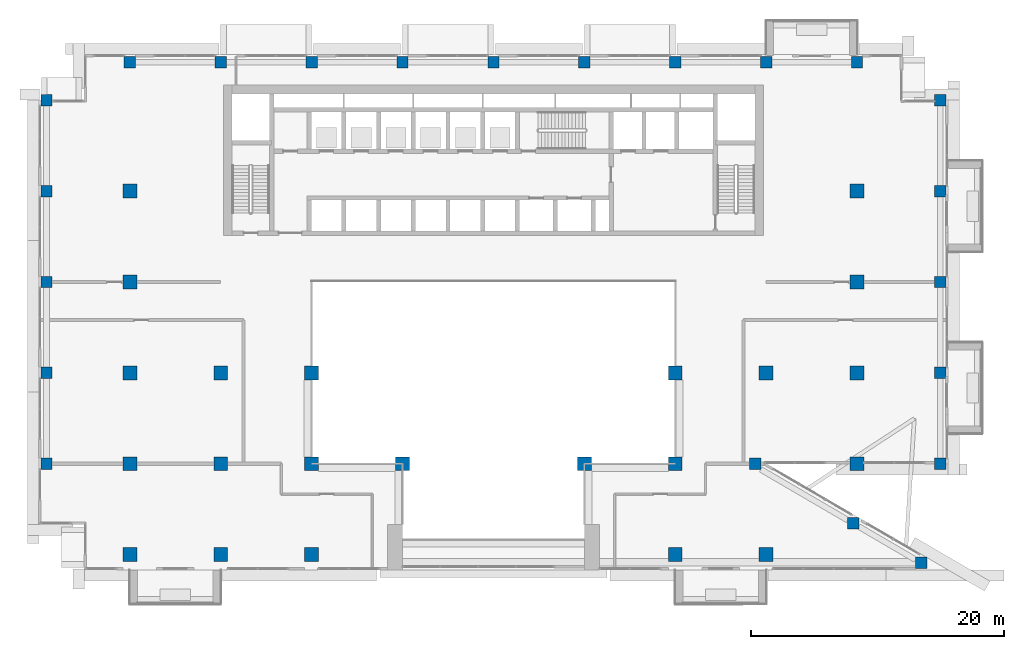
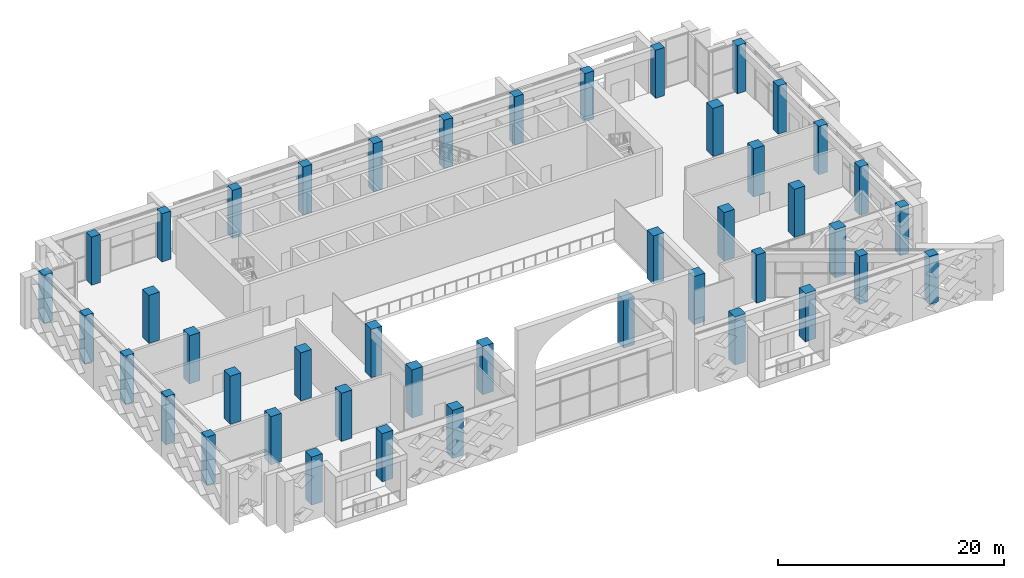
# One storey, part 1 of 25: 44 columns.
"""IFC4 building model written with IfcOpenShell, lengths in metres."""

from ifc_helpers import new_model, si_unit, direction, frame, origin, origin_2d, place, context, subcontext, project, spatial, rectangle, extrude, source, transform, mapped, material, material_profile, profile_set, type_object, element, save


model = new_model("IFC4")

# Units and contexts
model_context = context("Model", 3, precision=1e-05, world=origin(), true_north=direction((0.0, 1.0)))
body_context = subcontext(model_context, "Body", "Model", "MODEL_VIEW")
ifc_project = project(units=[si_unit("LENGTHUNIT", "METRE"), si_unit("AREAUNIT", "SQUARE_METRE"), si_unit("VOLUMEUNIT", "CUBIC_METRE"), si_unit("PLANEANGLEUNIT", "RADIAN"), si_unit("MASSUNIT", "GRAM", prefix="KILO")], contexts=[model_context])

# Site, building, storey
site_placement = place(None, origin())
site = spatial("IfcSite", under=ifc_project, at=site_placement, CompositionType="ELEMENT")
building_placement = place(site_placement, origin())
building = spatial("IfcBuilding", under=site, at=building_placement, Name="Saffron Iwan Residences", CompositionType="ELEMENT")
storey_placement = place(building_placement, frame((0.0, 0.0, 137.5)))
storey = spatial("IfcBuildingStorey", under=building, at=storey_placement, Name="L36", CompositionType="ELEMENT", Elevation=137.5)

# Columns
ifc_material = material(Name="Concrete C50/60", Category="concrete")
ifc_material_profile_1 = material_profile(ifc_material, rectangle(XDim=0.89990234375, YDim=0.89990234375, at=origin_2d()), Name="RC 900x900")
ifc_profile_set_1 = profile_set([ifc_material_profile_1], Name="Concrete C50/60")
column_type_1 = type_object("IfcColumnType", Name="COL RC 900x900 C50/60 5200 HIGH", PredefinedType="COLUMN", material=ifc_profile_set_1)
shared_shape_1 = source(origin(), body_context, "Body", "SweptSolid", [
    extrude(rectangle(XDim=0.89990234375, YDim=0.89990234375, at=origin_2d()), origin(), (0.0, 0.0, 1.0), 5.199951171875),
])
for number, where, z_axis, x_axis, name in (
    (1, (84.276123046875, 40.17431640625, 0.0), (0.0, 0.0, 1.0), (1.0, 0.0, 0.0), "Column C045"),
    (2, (78.897705078125, 43.28173828125, 0.0), (0.0, 0.0, 1.0), (1.0, 0.0, 0.0), "Column C058"),
    (3, (15.0, 48.0, 0.0), (0.0, 0.0, 1.0), (1.0, 0.0, 0.0), "Column C061"),
    (4, (71.14990234375, 48.0, 0.0), (0.0, 0.0, 1.0), (1.0, 0.0, 0.0), "Column C070"),
    (5, (85.800048828125, 48.0, 0.0), (0.0, 0.0, 1.0), (1.0, 0.0, 0.0), "Column C074"),
    (6, (15.0, 55.199951171875, 0.0), (0.0, 0.0, 1.0), (1.0, 0.0, 0.0), "Column C077"),
    (7, (85.800048828125, 55.199951171875, 0.0), (0.0, 0.0, 1.0), (1.0, 0.0, 0.0), "Column C086"),
    (8, (15.0, 62.39990234375, 0.0), (0.0, 0.0, 1.0), (1.0, 0.0, 0.0), "Column C089"),
    (9, (85.800048828125, 62.39990234375, 0.0), (0.0, 0.0, 1.0), (1.0, 0.0, 0.0), "Column C094"),
    (10, (15.0, 69.60009765625, 0.0), (0.0, 0.0, 1.0), (1.0, 0.0, 0.0), "Column C097"),
    (11, (85.800048828125, 69.60009765625, 0.0), (0.0, 0.0, 1.0), (1.0, 0.0, 0.0), "Column C102"),
    (12, (15.0, 76.800048828125, 0.0), (0.0, 0.0, 1.0), (1.0, 0.0, 0.0), "Column C105"),
    (13, (85.800048828125, 76.800048828125, 0.0), (0.0, 0.0, 1.0), (1.0, 0.0, 0.0), "Column C110"),
    (14, (21.60009765625, 79.800048828125, 0.0), (0.0, 0.0, 1.0), (1.0, 0.0, 0.0), "Column C113"),
    (15, (28.800048828125, 79.800048828125, 0.0), (0.0, 0.0, 1.0), (1.0, 0.0, 0.0), "Column C115"),
    (16, (36.0, 79.800048828125, 0.0), (0.0, 0.0, 1.0), (1.0, 0.0, 0.0), "Column C116"),
    (17, (43.199951171875, 79.800048828125, 0.0), (0.0, 0.0, 1.0), (1.0, 0.0, 0.0), "Column C117"),
    (18, (50.39990234375, 79.800048828125, 0.0), (0.0, 0.0, 1.0), (1.0, 0.0, 0.0), "Column C118"),
    (19, (57.60009765625, 79.800048828125, 0.0), (0.0, 0.0, 1.0), (1.0, 0.0, 0.0), "Column C119"),
    (20, (64.800048828125, 79.800048828125, 0.0), (0.0, 0.0, 1.0), (1.0, 0.0, 0.0), "Column C120"),
    (21, (72.0, 79.800048828125, 0.0), (0.0, 0.0, 1.0), (1.0, 0.0, 0.0), "Column C121"),
    (22, (79.199951171875, 79.800048828125, 0.0), (0.0, 0.0, 1.0), (1.0, 0.0, 0.0), "Column C123"),
):
    element("IfcColumn", number, at=place(storey_placement, frame(where, z_axis=z_axis, x_axis=x_axis)), inside=storey, type_object=column_type_1, Name=name, PredefinedType="COLUMN", context=body_context, shape_type="MappedRepresentation", body=[
        mapped(shared_shape_1, transform((0.0, 0.0, 0.0))),
    ])
ifc_material_profile_2 = material_profile(ifc_material, rectangle(XDim=1.10009765625, YDim=1.10009765625, at=origin_2d()), Name="RC 1100x1100")
ifc_profile_set_2 = profile_set([ifc_material_profile_2], Name="Concrete C50/60")
column_type_2 = type_object("IfcColumnType", Name="COL RC 1100x1100 C50/60 5200 HIGH", PredefinedType="COLUMN", material=ifc_profile_set_2)
shared_shape_2 = source(origin(), body_context, "Body", "SweptSolid", [
    extrude(rectangle(XDim=1.10009765625, YDim=1.10009765625, at=origin_2d()), origin(), (0.0, 0.0, 1.0), 5.199951171875),
])
for number, where, z_axis, x_axis, name in (
    (23, (21.60009765625, 40.800048828125, 0.0), (0.0, 0.0, 1.0), (1.0, 0.0, 0.0), "Column C049"),
    (24, (28.800048828125, 40.800048828125, 0.0), (0.0, 0.0, 1.0), (1.0, 0.0, 0.0), "Column C051"),
    (25, (36.0, 40.800048828125, 0.0), (0.0, 0.0, 1.0), (1.0, 0.0, 0.0), "Column C052"),
    (26, (64.800048828125, 40.800048828125, 0.0), (0.0, 0.0, 1.0), (1.0, 0.0, 0.0), "Column C055"),
    (27, (72.0, 40.800048828125, 0.0), (0.0, 0.0, 1.0), (1.0, 0.0, 0.0), "Column C056"),
    (28, (21.60009765625, 48.0, 0.0), (0.0, 0.0, 1.0), (1.0, 0.0, 0.0), "Column C063"),
    (29, (28.800048828125, 48.0, 0.0), (0.0, 0.0, 1.0), (1.0, 0.0, 0.0), "Column C064"),
    (30, (36.0, 48.0, 0.0), (0.0, 0.0, 1.0), (1.0, 0.0, 0.0), "Column C065"),
    (31, (43.199951171875, 48.0, 0.0), (0.0, 0.0, 1.0), (1.0, 0.0, 0.0), "Column C066"),
    (32, (57.60009765625, 48.0, 0.0), (0.0, 0.0, 1.0), (1.0, 0.0, 0.0), "Column C068"),
    (33, (64.800048828125, 48.0, 0.0), (0.0, 0.0, 1.0), (1.0, 0.0, 0.0), "Column C069"),
    (34, (79.199951171875, 48.0, 0.0), (0.0, 0.0, 1.0), (1.0, 0.0, 0.0), "Column C072"),
    (35, (21.60009765625, 55.199951171875, 0.0), (0.0, 0.0, 1.0), (1.0, 0.0, 0.0), "Column C079"),
    (36, (28.800048828125, 55.199951171875, 0.0), (0.0, 0.0, 1.0), (1.0, 0.0, 0.0), "Column C080"),
    (37, (36.0, 55.199951171875, 0.0), (0.0, 0.0, 1.0), (1.0, 0.0, 0.0), "Column C081"),
    (38, (64.800048828125, 55.199951171875, 0.0), (0.0, 0.0, 1.0), (1.0, 0.0, 0.0), "Column C082"),
    (39, (72.0, 55.199951171875, 0.0), (0.0, 0.0, 1.0), (1.0, 0.0, 0.0), "Column C083"),
    (40, (79.199951171875, 55.199951171875, 0.0), (0.0, 0.0, 1.0), (1.0, 0.0, 0.0), "Column C084"),
    (41, (21.60009765625, 62.39990234375, 0.0), (0.0, 0.0, 1.0), (1.0, 0.0, 0.0), "Column C091"),
    (42, (79.199951171875, 62.39990234375, 0.0), (0.0, 0.0, 1.0), (1.0, 0.0, 0.0), "Column C092"),
    (43, (21.60009765625, 69.60009765625, 0.0), (0.0, 0.0, 1.0), (1.0, 0.0, 0.0), "Column C099"),
    (44, (79.199951171875, 69.60009765625, 0.0), (0.0, 0.0, 1.0), (1.0, 0.0, 0.0), "Column C100"),
):
    element("IfcColumn", number, at=place(storey_placement, frame(where, z_axis=z_axis, x_axis=x_axis)), inside=storey, type_object=column_type_2, Name=name, PredefinedType="COLUMN", context=body_context, shape_type="MappedRepresentation", body=[
        mapped(shared_shape_2, transform((0.0, 0.0, 0.0))),
    ])

save(model, "model.ifc")
